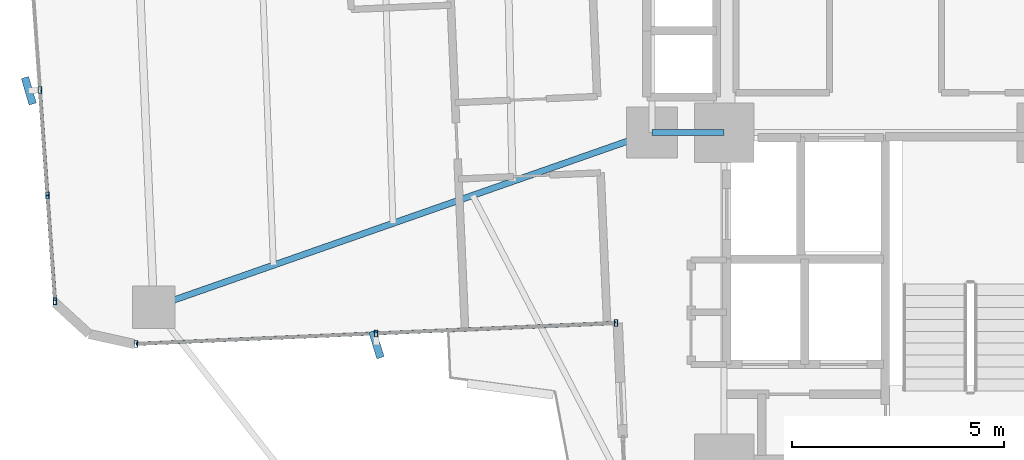
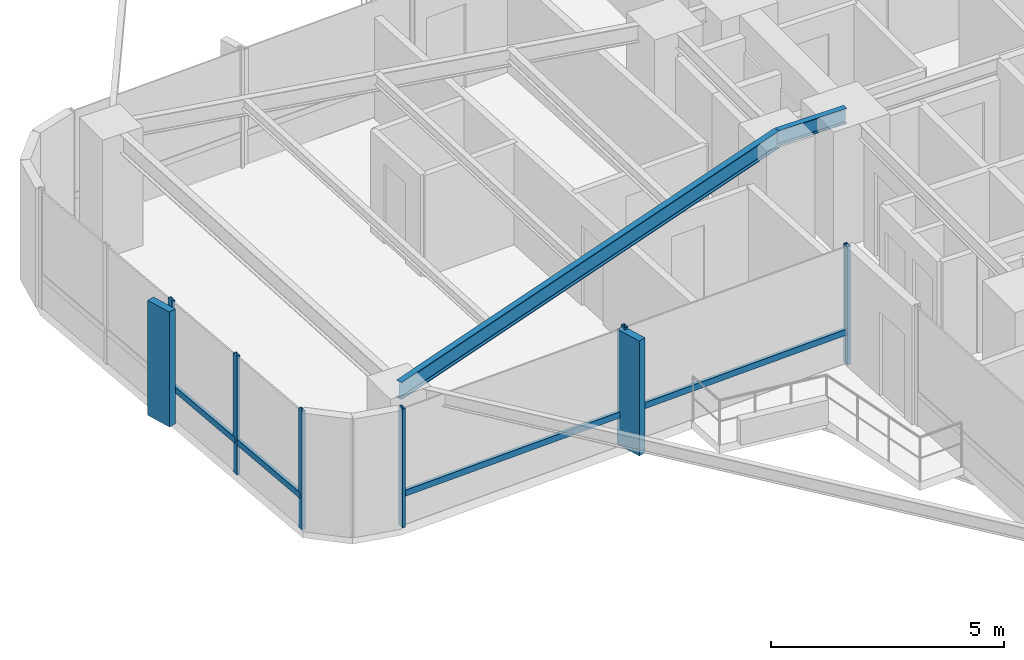
# One storey, part 8 of 26: 12 members, 2 beams, 2 elements without a shape of their own.
"""IFC4 building model written with IfcOpenShell, lengths in metres."""

from ifc_helpers import new_model, si_unit, direction, frame, origin, origin_2d, place, context, subcontext, project, spatial, rectangle, hollow_rectangle, i_section, extrude, source, transform, mapped, material, material_profile, profile_set, type_object, element, aggregate, save


model = new_model("IFC4")

# Units and contexts
model_context = context("Model", 3, precision=1e-05, world=origin(), true_north=direction((0.0, 1.0)))
body_context = subcontext(model_context, "Body", "Model", "MODEL_VIEW")
ifc_project = project(units=[si_unit("LENGTHUNIT", "METRE"), si_unit("AREAUNIT", "SQUARE_METRE"), si_unit("VOLUMEUNIT", "CUBIC_METRE"), si_unit("PLANEANGLEUNIT", "RADIAN"), si_unit("MASSUNIT", "GRAM", prefix="KILO")], contexts=[model_context])

# Site, building, storey
site_placement = place(None, origin())
site = spatial("IfcSite", under=ifc_project, at=site_placement, CompositionType="ELEMENT")
building_placement = place(site_placement, origin())
building = spatial("IfcBuilding", under=site, at=building_placement, Name="Sahyath Konkavel Grand Hotel", CompositionType="ELEMENT")
storey_placement = place(building_placement, frame((0.0, 0.0, 121.5)))
storey = spatial("IfcBuildingStorey", under=building, at=storey_placement, Name="L33", CompositionType="ELEMENT", Elevation=121.5)

# Beams
ifc_material_1 = material(Name="Steel E350", Category="steel")
ifc_material_profile_1 = material_profile(ifc_material_1, i_section(OverallWidth=0.139892578125, OverallDepth=0.39990234375, WebThickness=0.0087890625, FlangeThickness=0.01611328125, FilletRadius=0.013916015625, at=origin_2d()), Name="ISMB 400")
ifc_profile_set_1 = profile_set([ifc_material_profile_1], Name="Steel E350")
beam_type_1 = type_object("IfcBeamType", Name="BM-ISMB400", PredefinedType="BEAM", material=ifc_profile_set_1)
shared_shape_1 = source(origin(), body_context, "Body", "SweptSolid", [
    extrude(i_section(OverallWidth=0.139892578125, OverallDepth=0.39990234375, WebThickness=0.0087890625, FlangeThickness=0.01611328125, FilletRadius=0.013916015625, at=origin_2d()), origin(), (0.0, 0.0, 1.0), 1.699951171875),
])
beam_1_placement = place(storey_placement, frame((-5.5, -2.39990234375, 2.909912109375), z_axis=(1.0, 0.0, 0.0), x_axis=(0.0, 1.0, 0.0)))
element("IfcBeam", 1, at=beam_1_placement, inside=storey, type_object=beam_type_1, Name="str:bm:L33:HB-SW", PredefinedType="BEAM", context=body_context, shape_type="MappedRepresentation", body=[
    mapped(shared_shape_1, transform((0.0, 0.0, 0.0), scale=1.0)),
])
ifc_material_profile_2 = material_profile(ifc_material_1, i_section(OverallWidth=0.14990234375, OverallDepth=0.449951171875, WebThickness=0.009521484375, FlangeThickness=0.017333984375, FilletRadius=0.014892578125, at=origin_2d()), Name="ISMB 450")
ifc_profile_set_2 = profile_set([ifc_material_profile_2], Name="Steel E350")
beam_type_2 = type_object("IfcBeamType", Name="BM-ISMB450", PredefinedType="BEAM", material=ifc_profile_set_2)
shared_shape_2 = source(origin(), body_context, "Body", "SweptSolid", [
    extrude(i_section(OverallWidth=0.14990234375, OverallDepth=0.449951171875, WebThickness=0.009521484375, FlangeThickness=0.017333984375, FilletRadius=0.014892578125, at=origin_2d()), origin(), (0.0, 0.0, 1.0), 12.430908203125),
])
beam_2_placement = place(storey_placement, frame((-5.5, -2.39990234375, 2.885009765625), z_axis=(-0.943819157235, -0.330462400941, 0.0), x_axis=(0.330462400941, -0.943819157235, 0.0)))
element("IfcBeam", 2, at=beam_2_placement, inside=storey, type_object=beam_type_2, Name="L33 Cruciform Radial Girder WB", PredefinedType="BEAM", context=body_context, shape_type="MappedRepresentation", body=[
    mapped(shared_shape_2, transform((0.0, 0.0, 0.0), scale=1.0)),
])

# Curtain wall, member
ifc_material_2 = material(Name="Anodised Bronze Aluminium & Low-E Glazing", Category="aluminium")
curtain_wall_type = type_object("IfcCurtainWallType", Name="CW-ZONE2", PredefinedType="NOTDEFINED", material=ifc_material_2)
curtain_wall_1_placement = place(storey_placement, origin())
curtain_wall_1 = element("IfcCurtainWall", 3, at=curtain_wall_1_placement, inside=storey, type_object=curtain_wall_type, Name="L33 Unitised Curtain Wall F20", PredefinedType="NOTDEFINED")
ifc_material_3 = material(Name="Warm Buff Sandstone Cladding on Concrete C50/60", Category="masonry")
ifc_material_profile_3 = material_profile(ifc_material_3, rectangle(XDim=0.179931640625, YDim=0.64990234375, at=origin_2d()), Name="FIN 180x650")
ifc_profile_set_3 = profile_set([ifc_material_profile_3], Name="Warm Buff Sandstone Cladding on Concrete C50/60")
member_type_1 = type_object("IfcMemberType", Name="FIN-SANDSTONE-650", PredefinedType="MULLION", material=ifc_profile_set_3)
shared_shape_3 = source(origin(), body_context, "Body", "SweptSolid", [
    extrude(rectangle(XDim=0.179931640625, YDim=0.64990234375, at=origin_2d()), origin(), (0.0, 0.0, 1.0), 3.010009765625),
])
member_1_placement = place(storey_placement, frame((-20.1767578125, -1.413818359375, 0.050048828125), z_axis=(0.0, 0.0, 1.0), x_axis=(0.959854262938, 0.280499187022, 0.0)))
member_1 = element("IfcMember", 4, at=member_1_placement, type_object=member_type_1, Name="L33 Sandstone Vertical Solar Fin FIN F20-2", PredefinedType="MULLION", context=body_context, shape_type="MappedRepresentation", body=[
    mapped(shared_shape_3, transform((0.0, 0.0, 0.0), scale=1.0)),
])

curtain_wall_2_placement = place(storey_placement, origin())
curtain_wall_2 = element("IfcCurtainWall", 5, at=curtain_wall_2_placement, inside=storey, type_object=curtain_wall_type, Name="L33 Unitised Curtain Wall F23", PredefinedType="NOTDEFINED")
member_2_placement = place(storey_placement, frame((-11.989013671875, -7.39013671875, 0.050048828125), z_axis=(0.0, 0.0, 1.0), x_axis=(0.956610402488, 0.291370104596, 0.0)))
member_2 = element("IfcMember", 6, at=member_2_placement, type_object=member_type_1, Name="L33 Sandstone Vertical Solar Fin FIN F23-1", PredefinedType="MULLION", context=body_context, shape_type="MappedRepresentation", body=[
    mapped(shared_shape_3, transform((0.0, 0.0, 0.0), scale=1.0)),
])

# Member
ifc_material_4 = material(Name="Anodised Bronze Aluminium", Category="aluminium")
ifc_material_profile_4 = material_profile(ifc_material_4, hollow_rectangle(XDim=0.080078125, YDim=0.159912109375, WallThickness=0.006103515625, at=origin_2d()), Name="RHS 160x80x6")
ifc_profile_set_4 = profile_set([ifc_material_profile_4], Name="Anodised Bronze Aluminium")
member_type_2 = type_object("IfcMemberType", Name="CW-MUL-160", PredefinedType="MULLION", material=ifc_profile_set_4)
shared_shape_4 = source(origin(), body_context, "Body", "SweptSolid", [
    extrude(hollow_rectangle(XDim=0.080078125, YDim=0.159912109375, WallThickness=0.006103515625, at=origin_2d()), origin(), (0.0, 0.0, 1.0), 3.110107421875),
])
member_3_placement = place(storey_placement, frame((-19.91748046875, -1.39501953125, 0.0), z_axis=(0.0, 0.0, 1.0), x_axis=(1.0, 0.0, 0.0)))
member_3 = element("IfcMember", 7, at=member_3_placement, type_object=member_type_2, Name="L33 Curtain Wall Mullion F20-2", PredefinedType="MULLION", context=body_context, shape_type="MappedRepresentation", body=[
    mapped(shared_shape_4, transform((0.0, 0.0, 0.0), scale=1.0)),
])

member_4_placement = place(storey_placement, frame((-19.739013671875, -3.882080078125, 0.0), z_axis=(0.0, 0.0, 1.0), x_axis=(1.0, 0.0, 0.0)))
member_4 = element("IfcMember", 8, at=member_4_placement, type_object=member_type_2, Name="L33 Curtain Wall Mullion F20-3", PredefinedType="MULLION", context=body_context, shape_type="MappedRepresentation", body=[
    mapped(shared_shape_4, transform((0.0, 0.0, 0.0), scale=1.0)),
])

member_5_placement = place(storey_placement, frame((-19.560546875, -6.369384765625, 0.0), z_axis=(0.0, 0.0, 1.0), x_axis=(1.0, 0.0, 0.0)))
member_5 = element("IfcMember", 9, at=member_5_placement, type_object=member_type_2, Name="L33 Curtain Wall Mullion F20-4", PredefinedType="MULLION", context=body_context, shape_type="MappedRepresentation", body=[
    mapped(shared_shape_4, transform((0.0, 0.0, 0.0), scale=1.0)),
])

member_6_placement = place(storey_placement, frame((-17.655029296875, -7.377197265625, 0.0), z_axis=(0.0, 0.0, 1.0), x_axis=(1.0, 0.0, 0.0)))
member_6 = element("IfcMember", 10, at=member_6_placement, type_object=member_type_2, Name="L33 Curtain Wall Mullion F23-0", PredefinedType="MULLION", context=body_context, shape_type="MappedRepresentation", body=[
    mapped(shared_shape_4, transform((0.0, 0.0, 0.0), scale=1.0)),
])

member_7_placement = place(storey_placement, frame((-12.00048828125, -7.13037109375, 0.0), z_axis=(0.0, 0.0, 1.0), x_axis=(1.0, 0.0, 0.0)))
member_7 = element("IfcMember", 11, at=member_7_placement, type_object=member_type_2, Name="L33 Curtain Wall Mullion F23-1", PredefinedType="MULLION", context=body_context, shape_type="MappedRepresentation", body=[
    mapped(shared_shape_4, transform((0.0, 0.0, 0.0), scale=1.0)),
])

member_8_placement = place(storey_placement, frame((-6.345703125, -6.88330078125, 0.0), z_axis=(0.0, 0.0, 1.0), x_axis=(1.0, 0.0, 0.0)))
member_8 = element("IfcMember", 12, at=member_8_placement, type_object=member_type_2, Name="L33 Curtain Wall Mullion F23-2", PredefinedType="MULLION", context=body_context, shape_type="MappedRepresentation", body=[
    mapped(shared_shape_4, transform((0.0, 0.0, 0.0), scale=1.0)),
])

ifc_material_profile_5 = material_profile(ifc_material_4, hollow_rectangle(XDim=0.080078125, YDim=0.159912109375, WallThickness=0.006103515625, at=origin_2d()), Name="RHS 160x80x6")
ifc_profile_set_5 = profile_set([ifc_material_profile_5], Name="Anodised Bronze Aluminium")
member_type_3 = type_object("IfcMemberType", Name="CW-TRN-160", PredefinedType="USERDEFINED", material=ifc_profile_set_5)
shared_shape_5 = source(origin(), body_context, "Body", "SweptSolid", [
    extrude(hollow_rectangle(XDim=0.080078125, YDim=0.159912109375, WallThickness=0.006103515625, at=origin_2d()), origin(), (0.0, 0.0, 1.0), 2.493408203125),
])
member_9_placement = place(storey_placement, frame((-19.91748046875, -1.39501953125, 0.85009765625), z_axis=(0.071574084062, -0.997435286367, 0.0), x_axis=(0.997435286367, 0.071574084062, 0.0)))
member_9 = element("IfcMember", 13, at=member_9_placement, type_object=member_type_3, Name="L33 Curtain Wall Transom F20-2-spandrel", ObjectType="TRANSOM", PredefinedType="USERDEFINED", context=body_context, shape_type="MappedRepresentation", body=[
    mapped(shared_shape_5, transform((0.0, 0.0, 0.0), scale=1.0)),
])

shared_shape_6 = source(origin(), body_context, "Body", "SweptSolid", [
    extrude(hollow_rectangle(XDim=0.080078125, YDim=0.159912109375, WallThickness=0.006103515625, at=origin_2d()), origin(), (0.0, 0.0, 1.0), 2.49365234375),
])
member_10_placement = place(storey_placement, frame((-19.739013671875, -3.882080078125, 0.85009765625), z_axis=(0.071567094714, -0.997435787885, 0.0), x_axis=(0.997435787885, 0.071567094714, 0.0)))
member_10 = element("IfcMember", 14, at=member_10_placement, type_object=member_type_3, Name="L33 Curtain Wall Transom F20-3-spandrel", ObjectType="TRANSOM", PredefinedType="USERDEFINED", context=body_context, shape_type="MappedRepresentation", body=[
    mapped(shared_shape_6, transform((0.0, 0.0, 0.0), scale=1.0)),
])

aggregate(curtain_wall_1, [member_3, member_1, member_4, member_5, member_9, member_10])

shared_shape_7 = source(origin(), body_context, "Body", "SweptSolid", [
    extrude(hollow_rectangle(XDim=0.080078125, YDim=0.159912109375, WallThickness=0.006103515625, at=origin_2d()), origin(), (0.0, 0.0, 1.0), 5.659912109375),
])
member_11_placement = place(storey_placement, frame((-17.655029296875, -7.377197265625, 0.85009765625), z_axis=(0.999048655935, 0.043609437898, 0.0), x_axis=(-0.043609437898, 0.999048655935, 0.0)))
member_11 = element("IfcMember", 15, at=member_11_placement, type_object=member_type_3, Name="L33 Curtain Wall Transom F23-0-spandrel", ObjectType="TRANSOM", PredefinedType="USERDEFINED", context=body_context, shape_type="MappedRepresentation", body=[
    mapped(shared_shape_7, transform((0.0, 0.0, 0.0), scale=1.0)),
])

shared_shape_8 = source(origin(), body_context, "Body", "SweptSolid", [
    extrude(hollow_rectangle(XDim=0.080078125, YDim=0.159912109375, WallThickness=0.006103515625, at=origin_2d()), origin(), (0.0, 0.0, 1.0), 5.66015625),
])
member_12_placement = place(storey_placement, frame((-12.00048828125, -7.13037109375, 0.85009765625), z_axis=(0.9990468579, 0.043650609628, 0.0), x_axis=(-0.043650609628, 0.9990468579, 0.0)))
member_12 = element("IfcMember", 16, at=member_12_placement, type_object=member_type_3, Name="L33 Curtain Wall Transom F23-1-spandrel", ObjectType="TRANSOM", PredefinedType="USERDEFINED", context=body_context, shape_type="MappedRepresentation", body=[
    mapped(shared_shape_8, transform((0.0, 0.0, 0.0), scale=1.0)),
])

aggregate(curtain_wall_2, [member_6, member_7, member_2, member_8, member_11, member_12])

save(model, "model.ifc")
